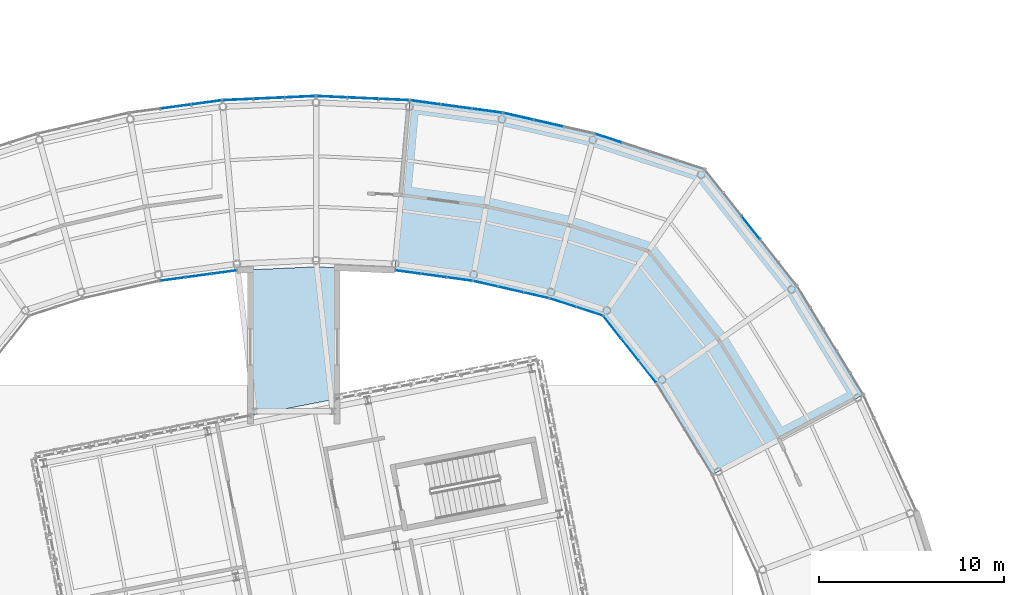
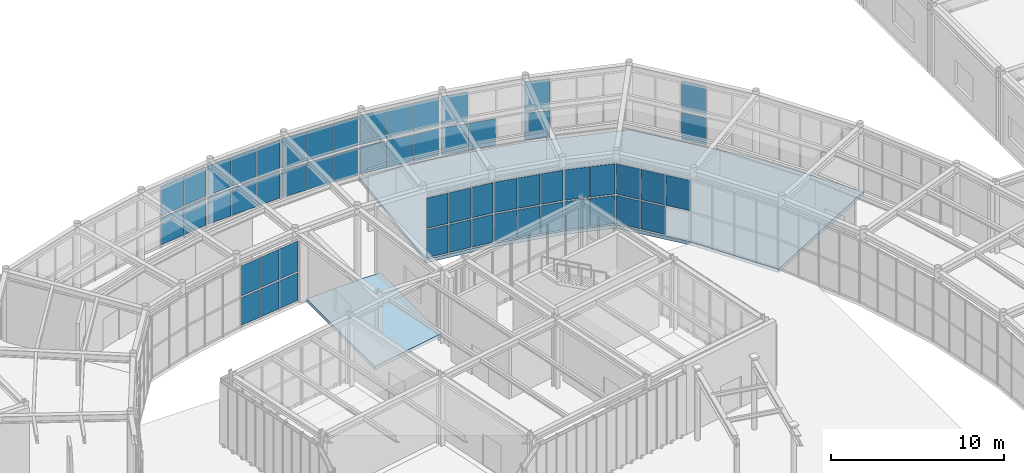
# One storey, part 65 of 97: 56 plates, 2 slabs, 12 elements without a shape of their own.
"""IFC4 building model written with IfcOpenShell, lengths in metres."""

from ifc_helpers import new_model, si_unit, direction, frame, origin, origin_2d, place, context, subcontext, project, spatial, polyline, rectangle, outline, extrude, material, layer, layer_set, type_object, element, aggregate, save


model = new_model("IFC4")

# Units and contexts
model_context = context("Model", 3, precision=1e-05, world=origin(), true_north=direction((0.0, 1.0)))
body_context = subcontext(model_context, "Body", "Model", "MODEL_VIEW")
ifc_project = project(units=[si_unit("LENGTHUNIT", "METRE"), si_unit("AREAUNIT", "SQUARE_METRE"), si_unit("VOLUMEUNIT", "CUBIC_METRE"), si_unit("PLANEANGLEUNIT", "RADIAN"), si_unit("MASSUNIT", "GRAM", prefix="KILO")], contexts=[model_context])

# Site, building, storey
site_placement = place(None, origin())
site = spatial("IfcSite", under=ifc_project, at=site_placement, CompositionType="ELEMENT")
building_placement = place(site_placement, origin())
building = spatial("IfcBuilding", under=site, at=building_placement, Name="Varnklinge Art Gallery", CompositionType="ELEMENT")
storey_placement = place(building_placement, origin())
storey = spatial("IfcBuildingStorey", under=building, at=storey_placement, Name="L00", CompositionType="ELEMENT", Elevation=0.0)

# Curtain wall, plates
ifc_material_1 = material(Name="Anodised Aluminium", Category="aluminium")
curtain_wall_type_1 = type_object("IfcCurtainWallType", Name="CW-R03", PredefinedType="USERDEFINED", material=ifc_material_1)
curtain_wall_1_placement = place(storey_placement, origin())
curtain_wall_1 = element("IfcCurtainWall", 1, at=curtain_wall_1_placement, inside=storey, type_object=curtain_wall_type_1, Name="L00 Curtain Wall CW-V2I-L00-12", ObjectType="UNITISED CURTAIN WALL", PredefinedType="USERDEFINED")
ifc_material_2 = material(Name="Insulated Low-E Triple Glazing", Category="glass")
ifc_layer_1 = layer(ifc_material_2, 0.031982421875)
ifc_layer_set_1 = layer_set([ifc_layer_1], Name="Insulated Low-E Triple Glazing")
plate_type_1 = type_object("IfcPlateType", Name="GLZ-32", PredefinedType="CURTAIN_PANEL", material=ifc_layer_set_1)
plate_1_placement = place(storey_placement, frame((91.47705078125, 85.133544921875, 0.1181640625), z_axis=(0.0, 0.0, 1.0), x_axis=(0.620737354217, -0.784018582101, 0.0)))
plate_1 = element("IfcPlate", 2, at=plate_1_placement, type_object=plate_type_1, Name="CW-V2I-L00-12 Glazing Panel 1.1", PredefinedType="CURTAIN_PANEL", context=body_context, shape_type="SweptSolid", body=[
    extrude(rectangle(XDim=1.4658203125, YDim=0.031982421875, at=origin_2d()), origin(), (0.0, 0.0, 1.0), 1.950439453125),
])
plate_2_placement = place(storey_placement, frame((91.47705078125, 85.133544921875, 2.1845703125), z_axis=(0.0, 0.0, 1.0), x_axis=(0.620737354217, -0.784018582101, 0.0)))
plate_2 = element("IfcPlate", 3, at=plate_2_placement, type_object=plate_type_1, Name="CW-V2I-L00-12 Glazing Panel 1.2", PredefinedType="CURTAIN_PANEL", context=body_context, shape_type="SweptSolid", body=[
    extrude(rectangle(XDim=1.4658203125, YDim=0.031982421875, at=origin_2d()), origin(), (0.0, 0.0, 1.0), 2.127685546875),
])
plate_3_placement = place(storey_placement, frame((92.430908203125, 83.9287109375, 0.1181640625), z_axis=(0.0, 0.0, 1.0), x_axis=(0.620737354217, -0.784018582101, 0.0)))
plate_3 = element("IfcPlate", 4, at=plate_3_placement, type_object=plate_type_1, Name="CW-V2I-L00-12 Glazing Panel 2.1", PredefinedType="CURTAIN_PANEL", context=body_context, shape_type="SweptSolid", body=[
    extrude(rectangle(XDim=1.495849609375, YDim=0.031982421875, at=origin_2d()), origin(), (0.0, 0.0, 1.0), 1.950439453125),
])
plate_4_placement = place(storey_placement, frame((92.430908203125, 83.9287109375, 2.1845703125), z_axis=(0.0, 0.0, 1.0), x_axis=(0.620737354217, -0.784018582101, 0.0)))
plate_4 = element("IfcPlate", 5, at=plate_4_placement, type_object=plate_type_1, Name="CW-V2I-L00-12 Glazing Panel 2.2", PredefinedType="CURTAIN_PANEL", context=body_context, shape_type="SweptSolid", body=[
    extrude(rectangle(XDim=1.495849609375, YDim=0.031982421875, at=origin_2d()), origin(), (0.0, 0.0, 1.0), 2.127685546875),
])
plate_5_placement = place(storey_placement, frame((93.385009765625, 82.7236328125, 2.1845703125), z_axis=(0.0, 0.0, 1.0), x_axis=(0.620737354217, -0.784018582101, 0.0)))
plate_5 = element("IfcPlate", 6, at=plate_5_placement, type_object=plate_type_1, Name="CW-V2I-L00-12 Glazing Panel 3.2", PredefinedType="CURTAIN_PANEL", context=body_context, shape_type="SweptSolid", body=[
    extrude(rectangle(XDim=1.4658203125, YDim=0.031982421875, at=origin_2d()), origin(), (0.0, 0.0, 1.0), 2.127685546875),
])
aggregate(curtain_wall_1, [plate_1, plate_2, plate_3, plate_4, plate_5])

curtain_wall_2_placement = place(storey_placement, origin())
curtain_wall_2 = element("IfcCurtainWall", 7, at=curtain_wall_2_placement, inside=storey, type_object=curtain_wall_type_1, Name="L00 Curtain Wall CW-V2I-L00-13", ObjectType="UNITISED CURTAIN WALL", PredefinedType="USERDEFINED")
plate_6_placement = place(storey_placement, frame((88.819580078125, 86.45556640625, 0.1181640625), z_axis=(0.0, 0.0, 1.0), x_axis=(0.951272019071, -0.30835295642, 0.0)))
plate_6 = element("IfcPlate", 8, at=plate_6_placement, type_object=plate_type_1, Name="CW-V2I-L00-13 Glazing Panel 1.1", PredefinedType="CURTAIN_PANEL", context=body_context, shape_type="SweptSolid", body=[
    extrude(rectangle(XDim=1.442138671875, YDim=0.031982421875, at=origin_2d()), origin(), (0.0, 0.0, 1.0), 1.950439453125),
])
plate_7_placement = place(storey_placement, frame((88.819580078125, 86.45556640625, 2.1845703125), z_axis=(0.0, 0.0, 1.0), x_axis=(0.951272019071, -0.30835295642, 0.0)))
plate_7 = element("IfcPlate", 9, at=plate_7_placement, type_object=plate_type_1, Name="CW-V2I-L00-13 Glazing Panel 1.2", PredefinedType="CURTAIN_PANEL", context=body_context, shape_type="SweptSolid", body=[
    extrude(rectangle(XDim=1.442138671875, YDim=0.031982421875, at=origin_2d()), origin(), (0.0, 0.0, 1.0), 2.127685546875),
])
plate_8_placement = place(storey_placement, frame((90.244873046875, 85.993896484375, 0.1181640625), z_axis=(0.0, 0.0, 1.0), x_axis=(0.951272019071, -0.30835295642, 0.0)))
plate_8 = element("IfcPlate", 10, at=plate_8_placement, type_object=plate_type_1, Name="CW-V2I-L00-13 Glazing Panel 2.1", PredefinedType="CURTAIN_PANEL", context=body_context, shape_type="SweptSolid", body=[
    extrude(rectangle(XDim=1.442138671875, YDim=0.031982421875, at=origin_2d()), origin(), (0.0, 0.0, 1.0), 1.950439453125),
])
plate_9_placement = place(storey_placement, frame((90.244873046875, 85.993896484375, 2.1845703125), z_axis=(0.0, 0.0, 1.0), x_axis=(0.951272019071, -0.30835295642, 0.0)))
plate_9 = element("IfcPlate", 11, at=plate_9_placement, type_object=plate_type_1, Name="CW-V2I-L00-13 Glazing Panel 2.2", PredefinedType="CURTAIN_PANEL", context=body_context, shape_type="SweptSolid", body=[
    extrude(rectangle(XDim=1.442138671875, YDim=0.031982421875, at=origin_2d()), origin(), (0.0, 0.0, 1.0), 2.127685546875),
])
aggregate(curtain_wall_2, [plate_6, plate_7, plate_8, plate_9])

curtain_wall_3_placement = place(storey_placement, origin())
curtain_wall_3 = element("IfcCurtainWall", 12, at=curtain_wall_3_placement, inside=storey, type_object=curtain_wall_type_1, Name="L00 Curtain Wall CW-V2I-L00-14", ObjectType="UNITISED CURTAIN WALL", PredefinedType="USERDEFINED")
plate_10_placement = place(storey_placement, frame((84.64599609375, 87.47705078125, 0.1181640625), z_axis=(0.0, 0.0, 1.0), x_axis=(0.975071959883, -0.221888875454, 0.0)))
plate_10 = element("IfcPlate", 13, at=plate_10_placement, type_object=plate_type_1, Name="CW-V2I-L00-14 Glazing Panel 1.1", PredefinedType="CURTAIN_PANEL", context=body_context, shape_type="SweptSolid", body=[
    extrude(rectangle(XDim=1.328125, YDim=0.031982421875, at=origin_2d()), origin(), (0.0, 0.0, 1.0), 1.950439453125),
])
plate_11_placement = place(storey_placement, frame((84.64599609375, 87.47705078125, 2.1845703125), z_axis=(0.0, 0.0, 1.0), x_axis=(0.975071959883, -0.221888875454, 0.0)))
plate_11 = element("IfcPlate", 14, at=plate_11_placement, type_object=plate_type_1, Name="CW-V2I-L00-14 Glazing Panel 1.2", PredefinedType="CURTAIN_PANEL", context=body_context, shape_type="SweptSolid", body=[
    extrude(rectangle(XDim=1.328125, YDim=0.031982421875, at=origin_2d()), origin(), (0.0, 0.0, 1.0), 2.127685546875),
])
plate_12_placement = place(storey_placement, frame((86.01025390625, 87.16650390625, 0.1181640625), z_axis=(0.0, 0.0, 1.0), x_axis=(0.975071959883, -0.221888875454, 0.0)))
plate_12 = element("IfcPlate", 15, at=plate_12_placement, type_object=plate_type_1, Name="CW-V2I-L00-14 Glazing Panel 2.1", PredefinedType="CURTAIN_PANEL", context=body_context, shape_type="SweptSolid", body=[
    extrude(rectangle(XDim=1.358154296875, YDim=0.031982421875, at=origin_2d()), origin(), (0.0, 0.0, 1.0), 1.950439453125),
])
plate_13_placement = place(storey_placement, frame((86.01025390625, 87.16650390625, 2.1845703125), z_axis=(0.0, 0.0, 1.0), x_axis=(0.975071959883, -0.221888875454, 0.0)))
plate_13 = element("IfcPlate", 16, at=plate_13_placement, type_object=plate_type_1, Name="CW-V2I-L00-14 Glazing Panel 2.2", PredefinedType="CURTAIN_PANEL", context=body_context, shape_type="SweptSolid", body=[
    extrude(rectangle(XDim=1.358154296875, YDim=0.031982421875, at=origin_2d()), origin(), (0.0, 0.0, 1.0), 2.127685546875),
])
plate_14_placement = place(storey_placement, frame((87.37451171875, 86.856201171875, 0.1181640625), z_axis=(0.0, 0.0, 1.0), x_axis=(0.975071959883, -0.221888875454, 0.0)))
plate_14 = element("IfcPlate", 17, at=plate_14_placement, type_object=plate_type_1, Name="CW-V2I-L00-14 Glazing Panel 3.1", PredefinedType="CURTAIN_PANEL", context=body_context, shape_type="SweptSolid", body=[
    extrude(rectangle(XDim=1.328125, YDim=0.031982421875, at=origin_2d()), origin(), (0.0, 0.0, 1.0), 1.950439453125),
])
plate_15_placement = place(storey_placement, frame((87.37451171875, 86.856201171875, 2.1845703125), z_axis=(0.0, 0.0, 1.0), x_axis=(0.975071959883, -0.221888875454, 0.0)))
plate_15 = element("IfcPlate", 18, at=plate_15_placement, type_object=plate_type_1, Name="CW-V2I-L00-14 Glazing Panel 3.2", PredefinedType="CURTAIN_PANEL", context=body_context, shape_type="SweptSolid", body=[
    extrude(rectangle(XDim=1.328125, YDim=0.031982421875, at=origin_2d()), origin(), (0.0, 0.0, 1.0), 2.127685546875),
])
aggregate(curtain_wall_3, [plate_10, plate_11, plate_12, plate_13, plate_14, plate_15])

curtain_wall_4_placement = place(storey_placement, origin())
curtain_wall_4 = element("IfcCurtainWall", 19, at=curtain_wall_4_placement, inside=storey, type_object=curtain_wall_type_1, Name="L00 Curtain Wall CW-V2I-L00-15", ObjectType="UNITISED CURTAIN WALL", PredefinedType="USERDEFINED")
plate_16_placement = place(storey_placement, frame((80.45361328125, 88.10888671875, 0.1181640625), z_axis=(0.0, 0.0, 1.0), x_axis=(0.990983199715, -0.133986185418, 0.0)))
plate_16 = element("IfcPlate", 20, at=plate_16_placement, type_object=plate_type_1, Name="CW-V2I-L00-15 Glazing Panel 1.1", PredefinedType="CURTAIN_PANEL", context=body_context, shape_type="SweptSolid", body=[
    extrude(rectangle(XDim=1.328125, YDim=0.031982421875, at=origin_2d()), origin(), (0.0, 0.0, 1.0), 1.950439453125),
])
plate_17_placement = place(storey_placement, frame((80.45361328125, 88.10888671875, 2.1845703125), z_axis=(0.0, 0.0, 1.0), x_axis=(0.990983199715, -0.133986185418, 0.0)))
plate_17 = element("IfcPlate", 21, at=plate_17_placement, type_object=plate_type_1, Name="CW-V2I-L00-15 Glazing Panel 1.2", PredefinedType="CURTAIN_PANEL", context=body_context, shape_type="SweptSolid", body=[
    extrude(rectangle(XDim=1.328125, YDim=0.031982421875, at=origin_2d()), origin(), (0.0, 0.0, 1.0), 2.127685546875),
])
plate_18_placement = place(storey_placement, frame((81.840087890625, 87.92138671875, 0.1181640625), z_axis=(0.0, 0.0, 1.0), x_axis=(0.990983199715, -0.133986185418, 0.0)))
plate_18 = element("IfcPlate", 22, at=plate_18_placement, type_object=plate_type_1, Name="CW-V2I-L00-15 Glazing Panel 2.1", PredefinedType="CURTAIN_PANEL", context=body_context, shape_type="SweptSolid", body=[
    extrude(rectangle(XDim=1.358154296875, YDim=0.031982421875, at=origin_2d()), origin(), (0.0, 0.0, 1.0), 1.950439453125),
])
plate_19_placement = place(storey_placement, frame((81.840087890625, 87.92138671875, 2.1845703125), z_axis=(0.0, 0.0, 1.0), x_axis=(0.990983199715, -0.133986185418, 0.0)))
plate_19 = element("IfcPlate", 23, at=plate_19_placement, type_object=plate_type_1, Name="CW-V2I-L00-15 Glazing Panel 2.2", PredefinedType="CURTAIN_PANEL", context=body_context, shape_type="SweptSolid", body=[
    extrude(rectangle(XDim=1.358154296875, YDim=0.031982421875, at=origin_2d()), origin(), (0.0, 0.0, 1.0), 2.127685546875),
])
plate_20_placement = place(storey_placement, frame((83.2265625, 87.734130859375, 0.1181640625), z_axis=(0.0, 0.0, 1.0), x_axis=(0.990983199715, -0.133986185418, 0.0)))
plate_20 = element("IfcPlate", 24, at=plate_20_placement, type_object=plate_type_1, Name="CW-V2I-L00-15 Glazing Panel 3.1", PredefinedType="CURTAIN_PANEL", context=body_context, shape_type="SweptSolid", body=[
    extrude(rectangle(XDim=1.328125, YDim=0.031982421875, at=origin_2d()), origin(), (0.0, 0.0, 1.0), 1.950439453125),
])
plate_21_placement = place(storey_placement, frame((83.2265625, 87.734130859375, 2.1845703125), z_axis=(0.0, 0.0, 1.0), x_axis=(0.990983199715, -0.133986185418, 0.0)))
plate_21 = element("IfcPlate", 25, at=plate_21_placement, type_object=plate_type_1, Name="CW-V2I-L00-15 Glazing Panel 3.2", PredefinedType="CURTAIN_PANEL", context=body_context, shape_type="SweptSolid", body=[
    extrude(rectangle(XDim=1.328125, YDim=0.031982421875, at=origin_2d()), origin(), (0.0, 0.0, 1.0), 2.127685546875),
])
aggregate(curtain_wall_4, [plate_16, plate_17, plate_18, plate_19, plate_20, plate_21])

curtain_wall_5_placement = place(storey_placement, origin())
curtain_wall_5 = element("IfcCurtainWall", 26, at=curtain_wall_5_placement, inside=storey, type_object=curtain_wall_type_1, Name="L00 Curtain Wall CW-V2I-L00-18", ObjectType="UNITISED CURTAIN WALL", PredefinedType="USERDEFINED")
plate_22_placement = place(storey_placement, frame((67.7734375, 87.734130859375, 0.1181640625), z_axis=(0.0, 0.0, 1.0), x_axis=(0.990983199715, 0.133986185418, 0.0)))
plate_22 = element("IfcPlate", 27, at=plate_22_placement, type_object=plate_type_1, Name="CW-V2I-L00-18 Glazing Panel 1.1", PredefinedType="CURTAIN_PANEL", context=body_context, shape_type="SweptSolid", body=[
    extrude(rectangle(XDim=1.328125, YDim=0.031982421875, at=origin_2d()), origin(), (0.0, 0.0, 1.0), 1.950439453125),
])
plate_23_placement = place(storey_placement, frame((67.7734375, 87.734130859375, 2.1845703125), z_axis=(0.0, 0.0, 1.0), x_axis=(0.990983199715, 0.133986185418, 0.0)))
plate_23 = element("IfcPlate", 28, at=plate_23_placement, type_object=plate_type_1, Name="CW-V2I-L00-18 Glazing Panel 1.2", PredefinedType="CURTAIN_PANEL", context=body_context, shape_type="SweptSolid", body=[
    extrude(rectangle(XDim=1.328125, YDim=0.031982421875, at=origin_2d()), origin(), (0.0, 0.0, 1.0), 2.127685546875),
])
plate_24_placement = place(storey_placement, frame((69.159912109375, 87.92138671875, 0.1181640625), z_axis=(0.0, 0.0, 1.0), x_axis=(0.990983199715, 0.133986185418, 0.0)))
plate_24 = element("IfcPlate", 29, at=plate_24_placement, type_object=plate_type_1, Name="CW-V2I-L00-18 Glazing Panel 2.1", PredefinedType="CURTAIN_PANEL", context=body_context, shape_type="SweptSolid", body=[
    extrude(rectangle(XDim=1.358154296875, YDim=0.031982421875, at=origin_2d()), origin(), (0.0, 0.0, 1.0), 1.950439453125),
])
plate_25_placement = place(storey_placement, frame((69.159912109375, 87.92138671875, 2.1845703125), z_axis=(0.0, 0.0, 1.0), x_axis=(0.990983199715, 0.133986185418, 0.0)))
plate_25 = element("IfcPlate", 30, at=plate_25_placement, type_object=plate_type_1, Name="CW-V2I-L00-18 Glazing Panel 2.2", PredefinedType="CURTAIN_PANEL", context=body_context, shape_type="SweptSolid", body=[
    extrude(rectangle(XDim=1.358154296875, YDim=0.031982421875, at=origin_2d()), origin(), (0.0, 0.0, 1.0), 2.127685546875),
])
plate_26_placement = place(storey_placement, frame((70.54638671875, 88.10888671875, 0.1181640625), z_axis=(0.0, 0.0, 1.0), x_axis=(0.990983199715, 0.133986185418, 0.0)))
plate_26 = element("IfcPlate", 31, at=plate_26_placement, type_object=plate_type_1, Name="CW-V2I-L00-18 Glazing Panel 3.1", PredefinedType="CURTAIN_PANEL", context=body_context, shape_type="SweptSolid", body=[
    extrude(rectangle(XDim=1.328125, YDim=0.031982421875, at=origin_2d()), origin(), (0.0, 0.0, 1.0), 1.950439453125),
])
plate_27_placement = place(storey_placement, frame((70.54638671875, 88.10888671875, 2.1845703125), z_axis=(0.0, 0.0, 1.0), x_axis=(0.990983199715, 0.133986185418, 0.0)))
plate_27 = element("IfcPlate", 32, at=plate_27_placement, type_object=plate_type_1, Name="CW-V2I-L00-18 Glazing Panel 3.2", PredefinedType="CURTAIN_PANEL", context=body_context, shape_type="SweptSolid", body=[
    extrude(rectangle(XDim=1.328125, YDim=0.031982421875, at=origin_2d()), origin(), (0.0, 0.0, 1.0), 2.127685546875),
])
aggregate(curtain_wall_5, [plate_22, plate_23, plate_24, plate_25, plate_26, plate_27])

ifc_material_3 = material(Name="Anodised Aluminium", Category="aluminium")
curtain_wall_type_2 = type_object("IfcCurtainWallType", Name="CW-R01", PredefinedType="USERDEFINED", material=ifc_material_3)
curtain_wall_6_placement = place(storey_placement, origin())
curtain_wall_6 = element("IfcCurtainWall", 33, at=curtain_wall_6_placement, inside=storey, type_object=curtain_wall_type_2, Name="L00 Curtain Wall CW-V2O-L00-12", ObjectType="UNITISED CURTAIN WALL", PredefinedType="USERDEFINED")
ifc_material_4 = material(Name="Insulated Low-E Triple Glazing", Category="glass")
ifc_layer_2 = layer(ifc_material_4, 0.0380859375)
ifc_layer_set_2 = layer_set([ifc_layer_2], Name="Insulated Low-E Triple Glazing")
plate_type_2 = type_object("IfcPlateType", Name="GLZ-38", PredefinedType="CURTAIN_PANEL", material=ifc_layer_set_2)
plate_28_placement = place(storey_placement, frame((98.953857421875, 90.510986328125, 0.14794921875), z_axis=(0.0, 0.0, 1.0), x_axis=(-0.620737354217, 0.784018582101, 0.0)))
plate_28 = element("IfcPlate", 34, at=plate_28_placement, type_object=plate_type_2, Name="CW-V2O-L00-12 Glazing Panel 3.1", PredefinedType="CURTAIN_PANEL", context=body_context, shape_type="SweptSolid", body=[
    extrude(rectangle(XDim=1.5390625, YDim=0.0380859375, at=origin_2d()), origin(), (0.0, 0.0, 1.0), 1.905517578125),
])
plate_29_placement = place(storey_placement, frame((98.953857421875, 90.510986328125, 2.199462890625), z_axis=(0.0, 0.0, 1.0), x_axis=(-0.620737354217, 0.784018582101, 0.0)))
plate_29 = element("IfcPlate", 35, at=plate_29_placement, type_object=plate_type_2, Name="CW-V2O-L00-12 Glazing Panel 3.2", PredefinedType="CURTAIN_PANEL", context=body_context, shape_type="SweptSolid", body=[
    extrude(rectangle(XDim=1.5390625, YDim=0.0380859375, at=origin_2d()), origin(), (0.0, 0.0, 1.0), 2.08251953125),
])
aggregate(curtain_wall_6, [plate_28, plate_29])

curtain_wall_7_placement = place(storey_placement, origin())
curtain_wall_7 = element("IfcCurtainWall", 36, at=curtain_wall_7_placement, inside=storey, type_object=curtain_wall_type_2, Name="L00 Curtain Wall CW-V2O-L00-13", ObjectType="UNITISED CURTAIN WALL", PredefinedType="USERDEFINED")
plate_30_placement = place(storey_placement, frame((91.281494140625, 95.328857421875, 0.14794921875), z_axis=(0.0, 0.0, 1.0), x_axis=(-0.951272019071, 0.30835295642, 0.0)))
plate_30 = element("IfcPlate", 37, at=plate_30_placement, type_object=plate_type_2, Name="CW-V2O-L00-13 Glazing Panel 4.1", PredefinedType="CURTAIN_PANEL", context=body_context, shape_type="SweptSolid", body=[
    extrude(rectangle(XDim=1.469482421875, YDim=0.0380859375, at=origin_2d()), origin(), (0.0, 0.0, 1.0), 1.905517578125),
])
plate_31_placement = place(storey_placement, frame((91.281494140625, 95.328857421875, 2.199462890625), z_axis=(0.0, 0.0, 1.0), x_axis=(-0.951272019071, 0.30835295642, 0.0)))
plate_31 = element("IfcPlate", 38, at=plate_31_placement, type_object=plate_type_2, Name="CW-V2O-L00-13 Glazing Panel 4.2", PredefinedType="CURTAIN_PANEL", context=body_context, shape_type="SweptSolid", body=[
    extrude(rectangle(XDim=1.469482421875, YDim=0.0380859375, at=origin_2d()), origin(), (0.0, 0.0, 1.0), 2.08251953125),
])
aggregate(curtain_wall_7, [plate_30, plate_31])

curtain_wall_8_placement = place(storey_placement, origin())
curtain_wall_8 = element("IfcCurtainWall", 39, at=curtain_wall_8_placement, inside=storey, type_object=curtain_wall_type_1, Name="L00 Curtain Wall CW-V2O-L00-14", ObjectType="UNITISED CURTAIN WALL", PredefinedType="USERDEFINED")
plate_32_placement = place(storey_placement, frame((88.052490234375, 96.13720703125, 0.14794921875), z_axis=(0.0, 0.0, 1.0), x_axis=(-0.975071959883, 0.221888875454, 0.0)))
plate_32 = element("IfcPlate", 40, at=plate_32_placement, type_object=plate_type_2, Name="CW-V2O-L00-14 Glazing Panel 2.1", PredefinedType="CURTAIN_PANEL", context=body_context, shape_type="SweptSolid", body=[
    extrude(rectangle(XDim=1.627685546875, YDim=0.0380859375, at=origin_2d()), origin(), (0.0, 0.0, 1.0), 1.905517578125),
])
plate_33_placement = place(storey_placement, frame((86.421630859375, 96.50830078125, 0.14794921875), z_axis=(0.0, 0.0, 1.0), x_axis=(-0.975071959883, 0.221888875454, 0.0)))
plate_33 = element("IfcPlate", 41, at=plate_33_placement, type_object=plate_type_2, Name="CW-V2O-L00-14 Glazing Panel 3.1", PredefinedType="CURTAIN_PANEL", context=body_context, shape_type="SweptSolid", body=[
    extrude(rectangle(XDim=1.59521484375, YDim=0.0380859375, at=origin_2d()), origin(), (0.0, 0.0, 1.0), 1.905517578125),
])
plate_34_placement = place(storey_placement, frame((86.421630859375, 96.50830078125, 2.199462890625), z_axis=(0.0, 0.0, 1.0), x_axis=(-0.975071959883, 0.221888875454, 0.0)))
plate_34 = element("IfcPlate", 42, at=plate_34_placement, type_object=plate_type_2, Name="CW-V2O-L00-14 Glazing Panel 3.2", PredefinedType="CURTAIN_PANEL", context=body_context, shape_type="SweptSolid", body=[
    extrude(rectangle(XDim=1.59521484375, YDim=0.0380859375, at=origin_2d()), origin(), (0.0, 0.0, 1.0), 2.08251953125),
])
aggregate(curtain_wall_8, [plate_32, plate_33, plate_34])

curtain_wall_9_placement = place(storey_placement, origin())
curtain_wall_9 = element("IfcCurtainWall", 43, at=curtain_wall_9_placement, inside=storey, type_object=curtain_wall_type_1, Name="L00 Curtain Wall CW-V2O-L00-15", ObjectType="UNITISED CURTAIN WALL", PredefinedType="USERDEFINED")
plate_35_placement = place(storey_placement, frame((84.7294921875, 96.814697265625, 0.14794921875), z_axis=(0.0, 0.0, 1.0), x_axis=(-0.990983199715, 0.133986185418, 0.0)))
plate_35 = element("IfcPlate", 44, at=plate_35_placement, type_object=plate_type_2, Name="CW-V2O-L00-15 Glazing Panel 1.1", PredefinedType="CURTAIN_PANEL", context=body_context, shape_type="SweptSolid", body=[
    extrude(rectangle(XDim=1.59521484375, YDim=0.0380859375, at=origin_2d()), origin(), (0.0, 0.0, 1.0), 1.905517578125),
])
plate_36_placement = place(storey_placement, frame((84.7294921875, 96.814697265625, 2.199462890625), z_axis=(0.0, 0.0, 1.0), x_axis=(-0.990983199715, 0.133986185418, 0.0)))
plate_36 = element("IfcPlate", 45, at=plate_36_placement, type_object=plate_type_2, Name="CW-V2O-L00-15 Glazing Panel 1.2", PredefinedType="CURTAIN_PANEL", context=body_context, shape_type="SweptSolid", body=[
    extrude(rectangle(XDim=1.59521484375, YDim=0.0380859375, at=origin_2d()), origin(), (0.0, 0.0, 1.0), 2.08251953125),
])
plate_37_placement = place(storey_placement, frame((83.072021484375, 97.03857421875, 0.14794921875), z_axis=(0.0, 0.0, 1.0), x_axis=(-0.990983199715, 0.133986185418, 0.0)))
plate_37 = element("IfcPlate", 46, at=plate_37_placement, type_object=plate_type_2, Name="CW-V2O-L00-15 Glazing Panel 2.1", PredefinedType="CURTAIN_PANEL", context=body_context, shape_type="SweptSolid", body=[
    extrude(rectangle(XDim=1.627685546875, YDim=0.0380859375, at=origin_2d()), origin(), (0.0, 0.0, 1.0), 1.905517578125),
])
plate_38_placement = place(storey_placement, frame((83.072021484375, 97.03857421875, 2.199462890625), z_axis=(0.0, 0.0, 1.0), x_axis=(-0.990983199715, 0.133986185418, 0.0)))
plate_38 = element("IfcPlate", 47, at=plate_38_placement, type_object=plate_type_2, Name="CW-V2O-L00-15 Glazing Panel 2.2", PredefinedType="CURTAIN_PANEL", context=body_context, shape_type="SweptSolid", body=[
    extrude(rectangle(XDim=1.627685546875, YDim=0.0380859375, at=origin_2d()), origin(), (0.0, 0.0, 1.0), 2.08251953125),
])
plate_39_placement = place(storey_placement, frame((81.41455078125, 97.2626953125, 0.14794921875), z_axis=(0.0, 0.0, 1.0), x_axis=(-0.990983199715, 0.133986185418, 0.0)))
plate_39 = element("IfcPlate", 48, at=plate_39_placement, type_object=plate_type_2, Name="CW-V2O-L00-15 Glazing Panel 3.1", PredefinedType="CURTAIN_PANEL", context=body_context, shape_type="SweptSolid", body=[
    extrude(rectangle(XDim=1.59521484375, YDim=0.0380859375, at=origin_2d()), origin(), (0.0, 0.0, 1.0), 1.905517578125),
])
plate_40_placement = place(storey_placement, frame((81.41455078125, 97.2626953125, 2.199462890625), z_axis=(0.0, 0.0, 1.0), x_axis=(-0.990983199715, 0.133986185418, 0.0)))
plate_40 = element("IfcPlate", 49, at=plate_40_placement, type_object=plate_type_2, Name="CW-V2O-L00-15 Glazing Panel 3.2", PredefinedType="CURTAIN_PANEL", context=body_context, shape_type="SweptSolid", body=[
    extrude(rectangle(XDim=1.59521484375, YDim=0.0380859375, at=origin_2d()), origin(), (0.0, 0.0, 1.0), 2.08251953125),
])
aggregate(curtain_wall_9, [plate_35, plate_36, plate_37, plate_38, plate_39, plate_40])

curtain_wall_10_placement = place(storey_placement, origin())
curtain_wall_10 = element("IfcCurtainWall", 50, at=curtain_wall_10_placement, inside=storey, type_object=curtain_wall_type_1, Name="L00 Curtain Wall CW-V2O-L00-16", ObjectType="UNITISED CURTAIN WALL", PredefinedType="USERDEFINED")
plate_41_placement = place(storey_placement, frame((79.701904296875, 97.41650390625, 0.14794921875), z_axis=(0.0, 0.0, 1.0), x_axis=(-0.999001995685, 0.044665564108, 0.0)))
plate_41 = element("IfcPlate", 51, at=plate_41_placement, type_object=plate_type_2, Name="CW-V2O-L00-16 Glazing Panel 1.1", PredefinedType="CURTAIN_PANEL", context=body_context, shape_type="SweptSolid", body=[
    extrude(rectangle(XDim=1.595458984375, YDim=0.0380859375, at=origin_2d()), origin(), (0.0, 0.0, 1.0), 1.905517578125),
])
plate_42_placement = place(storey_placement, frame((79.701904296875, 97.41650390625, 2.199462890625), z_axis=(0.0, 0.0, 1.0), x_axis=(-0.999001995685, 0.044665564108, 0.0)))
plate_42 = element("IfcPlate", 52, at=plate_42_placement, type_object=plate_type_2, Name="CW-V2O-L00-16 Glazing Panel 1.2", PredefinedType="CURTAIN_PANEL", context=body_context, shape_type="SweptSolid", body=[
    extrude(rectangle(XDim=1.595458984375, YDim=0.0380859375, at=origin_2d()), origin(), (0.0, 0.0, 1.0), 2.08251953125),
])
plate_43_placement = place(storey_placement, frame((78.03076171875, 97.4912109375, 0.14794921875), z_axis=(0.0, 0.0, 1.0), x_axis=(-0.999001995685, 0.044665564108, 0.0)))
plate_43 = element("IfcPlate", 53, at=plate_43_placement, type_object=plate_type_2, Name="CW-V2O-L00-16 Glazing Panel 2.1", PredefinedType="CURTAIN_PANEL", context=body_context, shape_type="SweptSolid", body=[
    extrude(rectangle(XDim=1.6279296875, YDim=0.0380859375, at=origin_2d()), origin(), (0.0, 0.0, 1.0), 1.905517578125),
])
plate_44_placement = place(storey_placement, frame((78.03076171875, 97.4912109375, 2.199462890625), z_axis=(0.0, 0.0, 1.0), x_axis=(-0.999001995685, 0.044665564108, 0.0)))
plate_44 = element("IfcPlate", 54, at=plate_44_placement, type_object=plate_type_2, Name="CW-V2O-L00-16 Glazing Panel 2.2", PredefinedType="CURTAIN_PANEL", context=body_context, shape_type="SweptSolid", body=[
    extrude(rectangle(XDim=1.6279296875, YDim=0.0380859375, at=origin_2d()), origin(), (0.0, 0.0, 1.0), 2.08251953125),
])
plate_45_placement = place(storey_placement, frame((76.35986328125, 97.566162109375, 0.14794921875), z_axis=(0.0, 0.0, 1.0), x_axis=(-0.999001995685, 0.044665564108, 0.0)))
plate_45 = element("IfcPlate", 55, at=plate_45_placement, type_object=plate_type_2, Name="CW-V2O-L00-16 Glazing Panel 3.1", PredefinedType="CURTAIN_PANEL", context=body_context, shape_type="SweptSolid", body=[
    extrude(rectangle(XDim=1.595458984375, YDim=0.0380859375, at=origin_2d()), origin(), (0.0, 0.0, 1.0), 1.905517578125),
])
plate_46_placement = place(storey_placement, frame((76.35986328125, 97.566162109375, 2.199462890625), z_axis=(0.0, 0.0, 1.0), x_axis=(-0.999001995685, 0.044665564108, 0.0)))
plate_46 = element("IfcPlate", 56, at=plate_46_placement, type_object=plate_type_2, Name="CW-V2O-L00-16 Glazing Panel 3.2", PredefinedType="CURTAIN_PANEL", context=body_context, shape_type="SweptSolid", body=[
    extrude(rectangle(XDim=1.595458984375, YDim=0.0380859375, at=origin_2d()), origin(), (0.0, 0.0, 1.0), 2.08251953125),
])
aggregate(curtain_wall_10, [plate_41, plate_42, plate_43, plate_44, plate_45, plate_46])

curtain_wall_11_placement = place(storey_placement, origin())
curtain_wall_11 = element("IfcCurtainWall", 57, at=curtain_wall_11_placement, inside=storey, type_object=curtain_wall_type_1, Name="L00 Curtain Wall CW-V2O-L00-17", ObjectType="UNITISED CURTAIN WALL", PredefinedType="USERDEFINED")
plate_47_placement = place(storey_placement, frame((74.64013671875, 97.566162109375, 0.14794921875), z_axis=(0.0, 0.0, 1.0), x_axis=(-0.999001995685, -0.044665564108, 0.0)))
plate_47 = element("IfcPlate", 58, at=plate_47_placement, type_object=plate_type_2, Name="CW-V2O-L00-17 Glazing Panel 1.1", PredefinedType="CURTAIN_PANEL", context=body_context, shape_type="SweptSolid", body=[
    extrude(rectangle(XDim=1.595458984375, YDim=0.0380859375, at=origin_2d()), origin(), (0.0, 0.0, 1.0), 1.905517578125),
])
plate_48_placement = place(storey_placement, frame((74.64013671875, 97.566162109375, 2.199462890625), z_axis=(0.0, 0.0, 1.0), x_axis=(-0.999001995685, -0.044665564108, 0.0)))
plate_48 = element("IfcPlate", 59, at=plate_48_placement, type_object=plate_type_2, Name="CW-V2O-L00-17 Glazing Panel 1.2", PredefinedType="CURTAIN_PANEL", context=body_context, shape_type="SweptSolid", body=[
    extrude(rectangle(XDim=1.595458984375, YDim=0.0380859375, at=origin_2d()), origin(), (0.0, 0.0, 1.0), 2.08251953125),
])
plate_49_placement = place(storey_placement, frame((72.96923828125, 97.4912109375, 0.14794921875), z_axis=(0.0, 0.0, 1.0), x_axis=(-0.999001995685, -0.044665564108, 0.0)))
plate_49 = element("IfcPlate", 60, at=plate_49_placement, type_object=plate_type_2, Name="CW-V2O-L00-17 Glazing Panel 2.1", PredefinedType="CURTAIN_PANEL", context=body_context, shape_type="SweptSolid", body=[
    extrude(rectangle(XDim=1.6279296875, YDim=0.0380859375, at=origin_2d()), origin(), (0.0, 0.0, 1.0), 1.905517578125),
])
plate_50_placement = place(storey_placement, frame((72.96923828125, 97.4912109375, 2.199462890625), z_axis=(0.0, 0.0, 1.0), x_axis=(-0.999001995685, -0.044665564108, 0.0)))
plate_50 = element("IfcPlate", 61, at=plate_50_placement, type_object=plate_type_2, Name="CW-V2O-L00-17 Glazing Panel 2.2", PredefinedType="CURTAIN_PANEL", context=body_context, shape_type="SweptSolid", body=[
    extrude(rectangle(XDim=1.6279296875, YDim=0.0380859375, at=origin_2d()), origin(), (0.0, 0.0, 1.0), 2.08251953125),
])
plate_51_placement = place(storey_placement, frame((71.298095703125, 97.41650390625, 0.14794921875), z_axis=(0.0, 0.0, 1.0), x_axis=(-0.999001995685, -0.044665564108, 0.0)))
plate_51 = element("IfcPlate", 62, at=plate_51_placement, type_object=plate_type_2, Name="CW-V2O-L00-17 Glazing Panel 3.1", PredefinedType="CURTAIN_PANEL", context=body_context, shape_type="SweptSolid", body=[
    extrude(rectangle(XDim=1.595458984375, YDim=0.0380859375, at=origin_2d()), origin(), (0.0, 0.0, 1.0), 1.905517578125),
])
plate_52_placement = place(storey_placement, frame((71.298095703125, 97.41650390625, 2.199462890625), z_axis=(0.0, 0.0, 1.0), x_axis=(-0.999001995685, -0.044665564108, 0.0)))
plate_52 = element("IfcPlate", 63, at=plate_52_placement, type_object=plate_type_2, Name="CW-V2O-L00-17 Glazing Panel 3.2", PredefinedType="CURTAIN_PANEL", context=body_context, shape_type="SweptSolid", body=[
    extrude(rectangle(XDim=1.595458984375, YDim=0.0380859375, at=origin_2d()), origin(), (0.0, 0.0, 1.0), 2.08251953125),
])
aggregate(curtain_wall_11, [plate_47, plate_48, plate_49, plate_50, plate_51, plate_52])

curtain_wall_12_placement = place(storey_placement, origin())
curtain_wall_12 = element("IfcCurtainWall", 64, at=curtain_wall_12_placement, inside=storey, type_object=curtain_wall_type_1, Name="L00 Curtain Wall CW-V2O-L00-18", ObjectType="UNITISED CURTAIN WALL", PredefinedType="USERDEFINED")
plate_53_placement = place(storey_placement, frame((69.58544921875, 97.2626953125, 0.14794921875), z_axis=(0.0, 0.0, 1.0), x_axis=(-0.990983199715, -0.133986185418, 0.0)))
plate_53 = element("IfcPlate", 65, at=plate_53_placement, type_object=plate_type_2, Name="CW-V2O-L00-18 Glazing Panel 1.1", PredefinedType="CURTAIN_PANEL", context=body_context, shape_type="SweptSolid", body=[
    extrude(rectangle(XDim=1.59521484375, YDim=0.0380859375, at=origin_2d()), origin(), (0.0, 0.0, 1.0), 1.905517578125),
])
plate_54_placement = place(storey_placement, frame((69.58544921875, 97.2626953125, 2.199462890625), z_axis=(0.0, 0.0, 1.0), x_axis=(-0.990983199715, -0.133986185418, 0.0)))
plate_54 = element("IfcPlate", 66, at=plate_54_placement, type_object=plate_type_2, Name="CW-V2O-L00-18 Glazing Panel 1.2", PredefinedType="CURTAIN_PANEL", context=body_context, shape_type="SweptSolid", body=[
    extrude(rectangle(XDim=1.59521484375, YDim=0.0380859375, at=origin_2d()), origin(), (0.0, 0.0, 1.0), 2.08251953125),
])
plate_55_placement = place(storey_placement, frame((67.927978515625, 97.03857421875, 0.14794921875), z_axis=(0.0, 0.0, 1.0), x_axis=(-0.990983199715, -0.133986185418, 0.0)))
plate_55 = element("IfcPlate", 67, at=plate_55_placement, type_object=plate_type_2, Name="CW-V2O-L00-18 Glazing Panel 2.1", PredefinedType="CURTAIN_PANEL", context=body_context, shape_type="SweptSolid", body=[
    extrude(rectangle(XDim=1.627685546875, YDim=0.0380859375, at=origin_2d()), origin(), (0.0, 0.0, 1.0), 1.905517578125),
])
plate_56_placement = place(storey_placement, frame((67.927978515625, 97.03857421875, 2.199462890625), z_axis=(0.0, 0.0, 1.0), x_axis=(-0.990983199715, -0.133986185418, 0.0)))
plate_56 = element("IfcPlate", 68, at=plate_56_placement, type_object=plate_type_2, Name="CW-V2O-L00-18 Glazing Panel 2.2", PredefinedType="CURTAIN_PANEL", context=body_context, shape_type="SweptSolid", body=[
    extrude(rectangle(XDim=1.627685546875, YDim=0.0380859375, at=origin_2d()), origin(), (0.0, 0.0, 1.0), 2.08251953125),
])
aggregate(curtain_wall_12, [plate_53, plate_54, plate_55, plate_56])

# Slabs
ifc_material_5 = material(Name="Concrete C35/45", Category="concrete")
ifc_layer_3 = layer(ifc_material_5, 0.219970703125)
ifc_layer_set_3 = layer_set([ifc_layer_3], Name="Concrete C35/45")
slab_type_1 = type_object("IfcSlabType", Name="SLB-F22", PredefinedType="FLOOR", material=ifc_layer_set_3)
slab_1_placement = place(storey_placement, frame((0.0, 0.0, -0.219970703125)))
element("IfcSlab", 69, at=slab_1_placement, inside=storey, type_object=slab_type_1, Name="L00 LNK-V4N Gallery Link Slab", PredefinedType="FLOOR", context=body_context, shape_type="SweptSolid", body=[
    extrude(outline(polyline([(71.800048828125, 88.2294921875), (71.800048828125, 80.337890625), (76.800048828125, 81.309814453125), (76.800048828125, 88.337158203125), (75.5, 88.3955078125), (71.800048828125, 88.2294921875)])), origin(), (0.0, 0.0, 1.0), 0.219970703125),
])
ifc_material_6 = material(Name="Concrete C35/45", Category="concrete")
ifc_layer_4 = layer(ifc_material_6, 0.25)
ifc_layer_set_4 = layer_set([ifc_layer_4], Name="Concrete C35/45")
slab_type_2 = type_object("IfcSlabType", Name="SLB-F25", PredefinedType="FLOOR", material=ifc_layer_set_4)
slab_2_placement = place(storey_placement, frame((0.0, 0.0, -0.25)))
element("IfcSlab", 70, at=slab_2_placement, inside=storey, type_object=slab_type_2, Name="L00 Curved Gallery Ring Sector 3", PredefinedType="FLOOR", context=body_context, shape_type="SweptSolid", body=[
    extrude(outline(polyline([(101.43701171875, 87.375), (96.470703125, 93.647216796875), (90.522705078125, 95.57470703125), (85.58251953125, 96.699462890625), (80.5615234375, 97.3779296875), (79.738037109375, 88.20556640625), (83.942138671875, 87.637451171875), (88.07861328125, 86.69580078125), (90.986083984375, 85.753662109375), (93.8759765625, 82.103515625), (96.88037109375, 77.180908203125), (105.025390625, 81.494873046875), (101.43701171875, 87.375)])), origin(), (0.0, 0.0, 1.0), 0.25),
])

save(model, "model.ifc")
